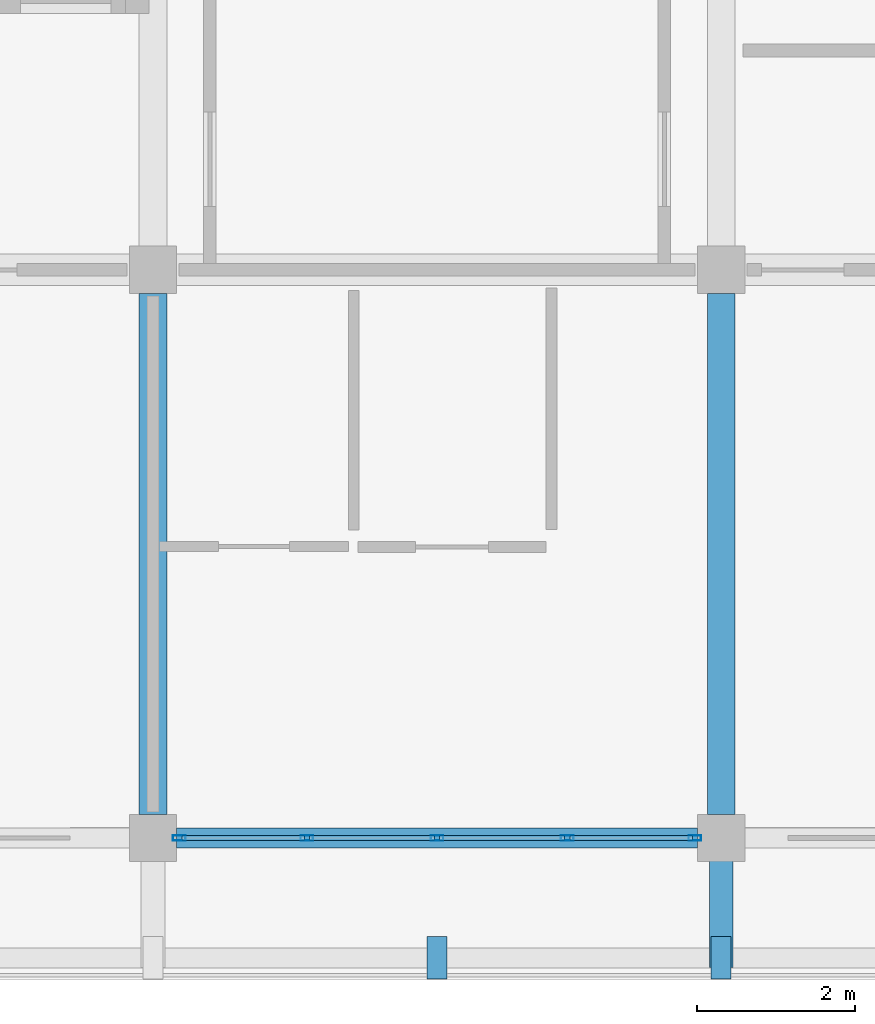
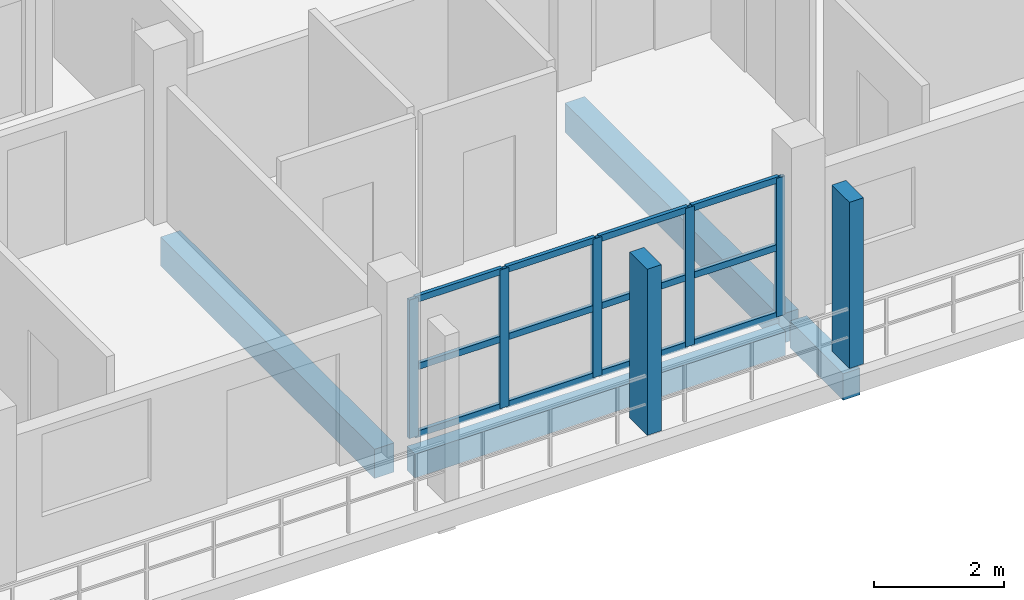
# One storey, part 6 of 75: 19 members, 4 beams, 1 element without a shape of its own.
"""IFC4 building model written with IfcOpenShell, lengths in metres."""

from ifc_helpers import new_model, si_unit, direction, frame, origin, origin_2d, place, context, subcontext, project, spatial, rectangle, hollow_rectangle, extrude, material, material_profile, profile_set, type_object, element, aggregate, save


model = new_model("IFC4")

# Units and contexts
model_context = context("Model", 3, precision=1e-05, world=origin(), true_north=direction((0.0, 1.0)))
body_context = subcontext(model_context, "Body", "Model", "MODEL_VIEW")
ifc_project = project(units=[si_unit("LENGTHUNIT", "METRE"), si_unit("AREAUNIT", "SQUARE_METRE"), si_unit("VOLUMEUNIT", "CUBIC_METRE"), si_unit("PLANEANGLEUNIT", "RADIAN"), si_unit("MASSUNIT", "GRAM", prefix="KILO")], contexts=[model_context])

# Site, building, storey
site_placement = place(None, origin())
site = spatial("IfcSite", under=ifc_project, at=site_placement, CompositionType="ELEMENT")
building_placement = place(site_placement, origin())
building = spatial("IfcBuilding", under=site, at=building_placement, Name="Suanplinth Sawtooth Commons", CompositionType="ELEMENT")
storey_placement = place(building_placement, frame((0.0, 0.0, 18.60009765625)))
storey = spatial("IfcBuildingStorey", under=building, at=storey_placement, Name="L05", CompositionType="ELEMENT", Elevation=18.60009765625)

# Beams
ifc_material_1 = material(Name="Precast concrete C40/50", Category="concrete")
ifc_material_profile_1 = material_profile(ifc_material_1, rectangle(XDim=0.35009765625, YDim=0.550048828125, at=origin_2d()), Name="PC-BM 350x550")
ifc_profile_set_1 = profile_set([ifc_material_profile_1], Name="Precast concrete C40/50")
beam_type_1 = type_object("IfcBeamType", Name="B-06", PredefinedType="BEAM", material=ifc_profile_set_1)
for number, where, z_axis, x_axis, name in (
    (1, (36.0, 0.300048828125, -0.525146484375), (0.0, 1.0, 0.0), (-1.0, 0.0, 0.0), "BMY-L05-D-5-0"),
    (2, (43.199951171875, 0.300048828125, -0.525146484375), (0.0, 1.0, 0.0), (-1.0, 0.0, 0.0), "BMY-L05-D-6-0"),
):
    element("IfcBeam", number, at=place(storey_placement, frame(where, z_axis=z_axis, x_axis=x_axis)), inside=storey, type_object=beam_type_1, Name=name, PredefinedType="BEAM", context=body_context, shape_type="SweptSolid", body=[
        extrude(rectangle(XDim=0.35009765625, YDim=0.550048828125, at=origin_2d()), origin(), (0.0, 0.0, 1.0), 6.599853515625),
    ])
ifc_material_profile_2 = material_profile(ifc_material_1, rectangle(XDim=0.300048828125, YDim=0.5, at=origin_2d()), Name="PC-BM 300x500")
ifc_profile_set_2 = profile_set([ifc_material_profile_2], Name="Precast concrete C40/50")
beam_type_2 = type_object("IfcBeamType", Name="B-07", PredefinedType="BEAM", material=ifc_profile_set_2)
beam_1_placement = place(storey_placement, frame((43.199951171875, 0.0, -0.43017578125), z_axis=(0.0, -1.0, 0.0), x_axis=(1.0, 0.0, 0.0)))
element("IfcBeam", 3, at=beam_1_placement, inside=storey, type_object=beam_type_2, Name="Balcony Outrigger L05-D-S-6", PredefinedType="BEAM", context=body_context, shape_type="SweptSolid", body=[
    extrude(rectangle(XDim=0.300048828125, YDim=0.5, at=origin_2d()), origin(), (0.0, 0.0, 1.0), 1.639892578125),
])
ifc_material_profile_3 = material_profile(ifc_material_1, rectangle(XDim=0.25, YDim=0.449951171875, at=origin_2d()), Name="PC-SP 250x450")
ifc_profile_set_3 = profile_set([ifc_material_profile_3], Name="Precast concrete C40/50")
beam_type_3 = type_object("IfcBeamType", Name="B-09", PredefinedType="SPANDREL", material=ifc_profile_set_3)
beam_2_placement = place(storey_placement, frame((36.300048828125, 0.0, -0.47509765625), z_axis=(1.0, 0.0, 0.0), x_axis=(0.0, 1.0, 0.0)))
element("IfcBeam", 4, at=beam_2_placement, inside=storey, type_object=beam_type_3, Name="BMX-L05-D-5-0", PredefinedType="SPANDREL", context=body_context, shape_type="SweptSolid", body=[
    extrude(rectangle(XDim=0.25, YDim=0.449951171875, at=origin_2d()), origin(), (0.0, 0.0, 1.0), 6.599853515625),
])

# Members
ifc_material_2 = material(Name="Pigmented precast concrete C40/50", Category="concrete")
ifc_material_profile_4 = material_profile(ifc_material_2, rectangle(XDim=0.25, YDim=0.5400390625, at=origin_2d()), Name="PC-FIN 250x540")
ifc_profile_set_4 = profile_set([ifc_material_profile_4], Name="Pigmented precast concrete C40/50")
member_type_1 = type_object("IfcMemberType", Name="M-11", PredefinedType="USERDEFINED", material=ifc_profile_set_4)
for number, where, z_axis, x_axis, name in (
    (5, (39.60009765625, -1.52001953125, 0.0), (0.0, 0.0, 1.0), (1.0, 0.0, 0.0), "Upright Solar Blade L05-D-S-07"),
    (6, (43.199951171875, -1.52001953125, 0.0), (0.0, 0.0, 1.0), (1.0, 0.0, 0.0), "Upright Solar Blade L05-D-S-08"),
):
    element("IfcMember", number, at=place(storey_placement, frame(where, z_axis=z_axis, x_axis=x_axis)), inside=storey, type_object=member_type_1, Name=name, ObjectType="SHADING FIN", PredefinedType="USERDEFINED", context=body_context, shape_type="SweptSolid", body=[
        extrude(rectangle(XDim=0.25, YDim=0.5400390625, at=origin_2d()), origin(), (0.0, 0.0, 1.0), 3.1298828125),
    ])

# Curtain wall, members
ifc_material_3 = material(Name="Anodized aluminium and low-E glazing", Category="aluminium")
curtain_wall_type = type_object("IfcCurtainWallType", Name="CW-06", PredefinedType="USERDEFINED", material=ifc_material_3)
curtain_wall_placement = place(storey_placement, origin())
curtain_wall = element("IfcCurtainWall", 7, at=curtain_wall_placement, inside=storey, type_object=curtain_wall_type, Name="Curtain Wall CW-L05-D-LOUNGE-5", ObjectType="CURTAIN WALL", PredefinedType="USERDEFINED")
ifc_material_4 = material(Name="Anodized aluminium 6063-T6", Category="aluminium")
ifc_material_profile_5 = material_profile(ifc_material_4, hollow_rectangle(XDim=0.06494140625, YDim=0.159912109375, WallThickness=0.00390625, at=origin_2d()), Name="ALU-MUL 65x160")
ifc_profile_set_5 = profile_set([ifc_material_profile_5], Name="Anodized aluminium 6063-T6")
member_type_2 = type_object("IfcMemberType", Name="M-13", PredefinedType="MULLION", material=ifc_profile_set_5)
member_1_placement = place(storey_placement, frame((36.33251953125, 0.0, 0.0), z_axis=(0.0, 0.0, 1.0), x_axis=(0.0, 1.0, 0.0)))
member_1 = element("IfcMember", 8, at=member_1_placement, type_object=member_type_2, Name="CW-06 mullion 1", PredefinedType="MULLION", context=body_context, shape_type="SweptSolid", body=[
    extrude(hollow_rectangle(XDim=0.06494140625, YDim=0.159912109375, WallThickness=0.00390625, at=origin_2d()), origin(), (0.0, 0.0, 1.0), 2.60986328125),
])
member_2_placement = place(storey_placement, frame((37.949951171875, 0.0, 0.0), z_axis=(0.0, 0.0, 1.0), x_axis=(0.0, 1.0, 0.0)))
member_2 = element("IfcMember", 9, at=member_2_placement, type_object=member_type_2, Name="CW-06 mullion 2", PredefinedType="MULLION", context=body_context, shape_type="SweptSolid", body=[
    extrude(hollow_rectangle(XDim=0.06494140625, YDim=0.159912109375, WallThickness=0.00390625, at=origin_2d()), origin(), (0.0, 0.0, 1.0), 2.60986328125),
])
member_3_placement = place(storey_placement, frame((39.60009765625, 0.0, 0.0), z_axis=(0.0, 0.0, 1.0), x_axis=(0.0, 1.0, 0.0)))
member_3 = element("IfcMember", 10, at=member_3_placement, type_object=member_type_2, Name="CW-06 mullion 3", PredefinedType="MULLION", context=body_context, shape_type="SweptSolid", body=[
    extrude(hollow_rectangle(XDim=0.06494140625, YDim=0.159912109375, WallThickness=0.00390625, at=origin_2d()), origin(), (0.0, 0.0, 1.0), 2.60986328125),
])
member_4_placement = place(storey_placement, frame((41.25, 0.0, 0.0), z_axis=(0.0, 0.0, 1.0), x_axis=(0.0, 1.0, 0.0)))
member_4 = element("IfcMember", 11, at=member_4_placement, type_object=member_type_2, Name="CW-06 mullion 4", PredefinedType="MULLION", context=body_context, shape_type="SweptSolid", body=[
    extrude(hollow_rectangle(XDim=0.06494140625, YDim=0.159912109375, WallThickness=0.00390625, at=origin_2d()), origin(), (0.0, 0.0, 1.0), 2.60986328125),
])
member_5_placement = place(storey_placement, frame((42.867431640625, 0.0, 0.0), z_axis=(0.0, 0.0, 1.0), x_axis=(0.0, 1.0, 0.0)))
member_5 = element("IfcMember", 12, at=member_5_placement, type_object=member_type_2, Name="CW-06 mullion 5", PredefinedType="MULLION", context=body_context, shape_type="SweptSolid", body=[
    extrude(hollow_rectangle(XDim=0.06494140625, YDim=0.159912109375, WallThickness=0.00390625, at=origin_2d()), origin(), (0.0, 0.0, 1.0), 2.60986328125),
])
ifc_material_profile_6 = material_profile(ifc_material_4, hollow_rectangle(XDim=0.06494140625, YDim=0.1201171875, WallThickness=0.00390625, at=origin_2d()), Name="ALU-TRN 65x120")
ifc_profile_set_6 = profile_set([ifc_material_profile_6], Name="Anodized aluminium 6063-T6")
member_type_3 = type_object("IfcMemberType", Name="M-15", PredefinedType="USERDEFINED", material=ifc_profile_set_6)
member_6_placement = place(storey_placement, frame((36.364990234375, 0.0, 0.032470703125), z_axis=(1.0, 0.0, 0.0), x_axis=(0.0, 1.0, 0.0)))
member_6 = element("IfcMember", 13, at=member_6_placement, type_object=member_type_3, Name="CW-06 transom 1.1", ObjectType="TRANSOM", PredefinedType="USERDEFINED", context=body_context, shape_type="SweptSolid", body=[
    extrude(hollow_rectangle(XDim=0.06494140625, YDim=0.1201171875, WallThickness=0.00390625, at=origin_2d()), origin(), (0.0, 0.0, 1.0), 1.552490234375),
])
member_7_placement = place(storey_placement, frame((36.364990234375, 0.0, 1.304931640625), z_axis=(1.0, 0.0, 0.0), x_axis=(0.0, 1.0, 0.0)))
member_7 = element("IfcMember", 14, at=member_7_placement, type_object=member_type_3, Name="CW-06 transom 1.2", ObjectType="TRANSOM", PredefinedType="USERDEFINED", context=body_context, shape_type="SweptSolid", body=[
    extrude(hollow_rectangle(XDim=0.06494140625, YDim=0.1201171875, WallThickness=0.00390625, at=origin_2d()), origin(), (0.0, 0.0, 1.0), 1.552490234375),
])
member_8_placement = place(storey_placement, frame((36.364990234375, 0.0, 2.577392578125), z_axis=(1.0, 0.0, 0.0), x_axis=(0.0, 1.0, 0.0)))
member_8 = element("IfcMember", 15, at=member_8_placement, type_object=member_type_3, Name="CW-06 transom 1.3", ObjectType="TRANSOM", PredefinedType="USERDEFINED", context=body_context, shape_type="SweptSolid", body=[
    extrude(hollow_rectangle(XDim=0.06494140625, YDim=0.1201171875, WallThickness=0.00390625, at=origin_2d()), origin(), (0.0, 0.0, 1.0), 1.552490234375),
])
member_9_placement = place(storey_placement, frame((37.982421875, 0.0, 0.032470703125), z_axis=(1.0, 0.0, 0.0), x_axis=(0.0, 1.0, 0.0)))
member_9 = element("IfcMember", 16, at=member_9_placement, type_object=member_type_3, Name="CW-06 transom 2.1", ObjectType="TRANSOM", PredefinedType="USERDEFINED", context=body_context, shape_type="SweptSolid", body=[
    extrude(hollow_rectangle(XDim=0.06494140625, YDim=0.1201171875, WallThickness=0.00390625, at=origin_2d()), origin(), (0.0, 0.0, 1.0), 1.5849609375),
])
member_10_placement = place(storey_placement, frame((37.982421875, 0.0, 1.304931640625), z_axis=(1.0, 0.0, 0.0), x_axis=(0.0, 1.0, 0.0)))
member_10 = element("IfcMember", 17, at=member_10_placement, type_object=member_type_3, Name="CW-06 transom 2.2", ObjectType="TRANSOM", PredefinedType="USERDEFINED", context=body_context, shape_type="SweptSolid", body=[
    extrude(hollow_rectangle(XDim=0.06494140625, YDim=0.1201171875, WallThickness=0.00390625, at=origin_2d()), origin(), (0.0, 0.0, 1.0), 1.5849609375),
])
member_11_placement = place(storey_placement, frame((37.982421875, 0.0, 2.577392578125), z_axis=(1.0, 0.0, 0.0), x_axis=(0.0, 1.0, 0.0)))
member_11 = element("IfcMember", 18, at=member_11_placement, type_object=member_type_3, Name="CW-06 transom 2.3", ObjectType="TRANSOM", PredefinedType="USERDEFINED", context=body_context, shape_type="SweptSolid", body=[
    extrude(hollow_rectangle(XDim=0.06494140625, YDim=0.1201171875, WallThickness=0.00390625, at=origin_2d()), origin(), (0.0, 0.0, 1.0), 1.5849609375),
])
member_12_placement = place(storey_placement, frame((39.632568359375, 0.0, 0.032470703125), z_axis=(1.0, 0.0, 0.0), x_axis=(0.0, 1.0, 0.0)))
member_12 = element("IfcMember", 19, at=member_12_placement, type_object=member_type_3, Name="CW-06 transom 3.1", ObjectType="TRANSOM", PredefinedType="USERDEFINED", context=body_context, shape_type="SweptSolid", body=[
    extrude(hollow_rectangle(XDim=0.06494140625, YDim=0.1201171875, WallThickness=0.00390625, at=origin_2d()), origin(), (0.0, 0.0, 1.0), 1.5849609375),
])
member_13_placement = place(storey_placement, frame((39.632568359375, 0.0, 1.304931640625), z_axis=(1.0, 0.0, 0.0), x_axis=(0.0, 1.0, 0.0)))
member_13 = element("IfcMember", 20, at=member_13_placement, type_object=member_type_3, Name="CW-06 transom 3.2", ObjectType="TRANSOM", PredefinedType="USERDEFINED", context=body_context, shape_type="SweptSolid", body=[
    extrude(hollow_rectangle(XDim=0.06494140625, YDim=0.1201171875, WallThickness=0.00390625, at=origin_2d()), origin(), (0.0, 0.0, 1.0), 1.5849609375),
])
member_14_placement = place(storey_placement, frame((39.632568359375, 0.0, 2.577392578125), z_axis=(1.0, 0.0, 0.0), x_axis=(0.0, 1.0, 0.0)))
member_14 = element("IfcMember", 21, at=member_14_placement, type_object=member_type_3, Name="CW-06 transom 3.3", ObjectType="TRANSOM", PredefinedType="USERDEFINED", context=body_context, shape_type="SweptSolid", body=[
    extrude(hollow_rectangle(XDim=0.06494140625, YDim=0.1201171875, WallThickness=0.00390625, at=origin_2d()), origin(), (0.0, 0.0, 1.0), 1.5849609375),
])
member_15_placement = place(storey_placement, frame((41.282470703125, 0.0, 0.032470703125), z_axis=(1.0, 0.0, 0.0), x_axis=(0.0, 1.0, 0.0)))
member_15 = element("IfcMember", 22, at=member_15_placement, type_object=member_type_3, Name="CW-06 transom 4.1", ObjectType="TRANSOM", PredefinedType="USERDEFINED", context=body_context, shape_type="SweptSolid", body=[
    extrude(hollow_rectangle(XDim=0.06494140625, YDim=0.1201171875, WallThickness=0.00390625, at=origin_2d()), origin(), (0.0, 0.0, 1.0), 1.552490234375),
])
member_16_placement = place(storey_placement, frame((41.282470703125, 0.0, 1.304931640625), z_axis=(1.0, 0.0, 0.0), x_axis=(0.0, 1.0, 0.0)))
member_16 = element("IfcMember", 23, at=member_16_placement, type_object=member_type_3, Name="CW-06 transom 4.2", ObjectType="TRANSOM", PredefinedType="USERDEFINED", context=body_context, shape_type="SweptSolid", body=[
    extrude(hollow_rectangle(XDim=0.06494140625, YDim=0.1201171875, WallThickness=0.00390625, at=origin_2d()), origin(), (0.0, 0.0, 1.0), 1.552490234375),
])
member_17_placement = place(storey_placement, frame((41.282470703125, 0.0, 2.577392578125), z_axis=(1.0, 0.0, 0.0), x_axis=(0.0, 1.0, 0.0)))
member_17 = element("IfcMember", 24, at=member_17_placement, type_object=member_type_3, Name="CW-06 transom 4.3", ObjectType="TRANSOM", PredefinedType="USERDEFINED", context=body_context, shape_type="SweptSolid", body=[
    extrude(hollow_rectangle(XDim=0.06494140625, YDim=0.1201171875, WallThickness=0.00390625, at=origin_2d()), origin(), (0.0, 0.0, 1.0), 1.552490234375),
])
aggregate(curtain_wall, [member_1, member_2, member_3, member_4, member_5, member_6, member_7, member_8, member_9, member_10, member_11, member_12, member_13, member_14, member_15, member_16, member_17])

save(model, "model.ifc")
